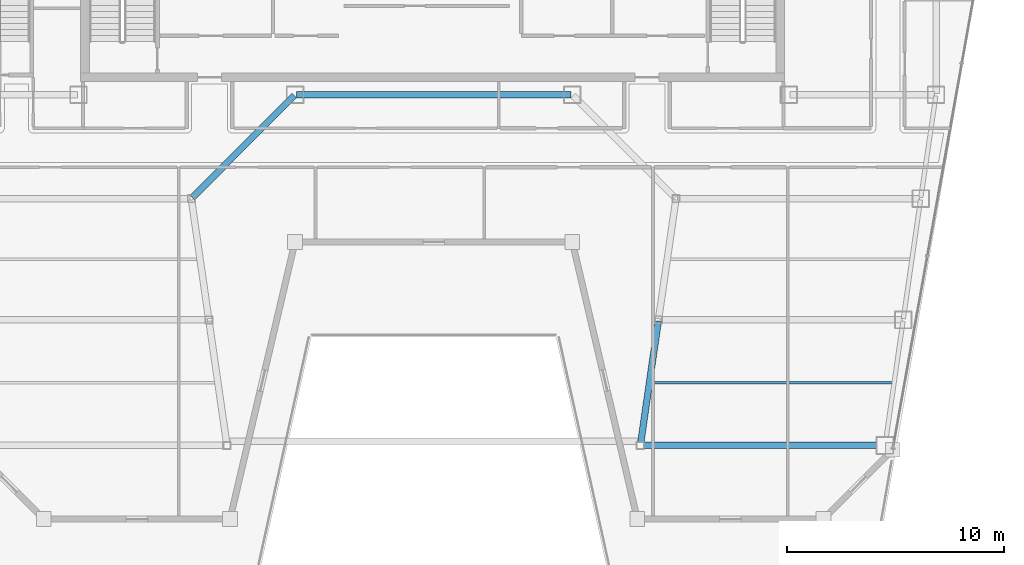
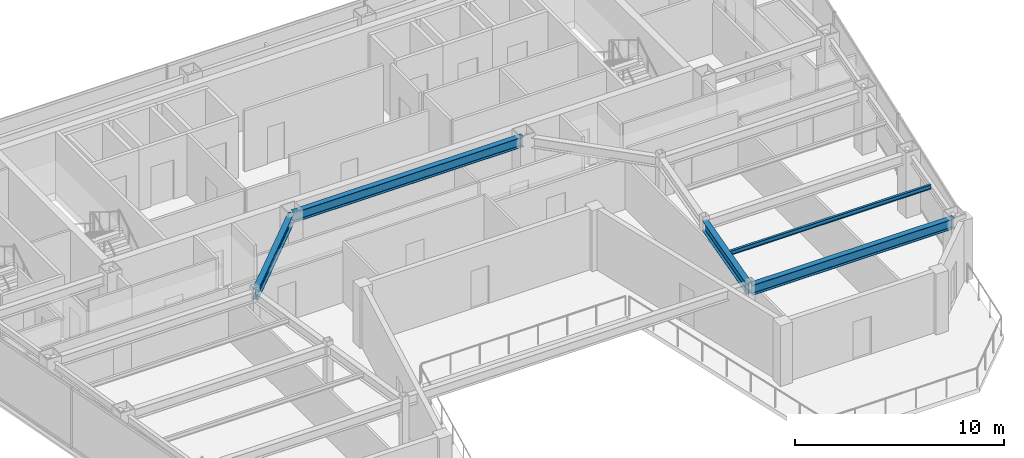
# One storey, part 8 of 28: 5 beams.
"""IFC4 building model written with IfcOpenShell, lengths in metres."""

from ifc_helpers import new_model, si_unit, direction, frame, origin, origin_2d, place, context, subcontext, project, spatial, i_section, extrude, material, material_profile, profile_set, type_object, element, save


model = new_model("IFC4")

# Units and contexts
model_context = context("Model", 3, precision=1e-05, world=origin(), true_north=direction((0.0, 1.0)))
body_context = subcontext(model_context, "Body", "Model", "MODEL_VIEW")
ifc_project = project(units=[si_unit("LENGTHUNIT", "METRE"), si_unit("AREAUNIT", "SQUARE_METRE"), si_unit("VOLUMEUNIT", "CUBIC_METRE"), si_unit("PLANEANGLEUNIT", "RADIAN"), si_unit("MASSUNIT", "GRAM", prefix="KILO")], contexts=[model_context])

# Site, building, storey
site_placement = place(None, origin())
site = spatial("IfcSite", under=ifc_project, at=site_placement, CompositionType="ELEMENT")
building_placement = place(site_placement, origin())
building = spatial("IfcBuilding", under=site, at=building_placement, Name="Saevonmaru Cultural Tower", CompositionType="ELEMENT")
storey_placement = place(building_placement, frame((0.0, 0.0, 253.39990234375)))
storey = spatial("IfcBuildingStorey", under=building, at=storey_placement, Name="L59", CompositionType="ELEMENT", Elevation=253.39990234375)

# Beams
ifc_material = material(Name="Steel SM355", Category="steel")
ifc_material_profile_1 = material_profile(ifc_material, i_section(OverallWidth=0.300048828125, OverallDepth=0.587890625, WebThickness=0.011962890625, FlangeThickness=0.02001953125, FilletRadius=0.02392578125, at=origin_2d()), Name="H-588x300x12x20")
ifc_profile_set_1 = profile_set([ifc_material_profile_1], Name="Steel SM355")
beam_type_1 = type_object("IfcBeamType", Name="BM-G-H588", PredefinedType="BEAM", material=ifc_profile_set_1)
beam_1_placement = place(storey_placement, frame((23.659912109375, 42.39990234375, 3.256103515625), z_axis=(1.0, 0.0, 0.0), x_axis=(0.0, 1.0, 0.0)))
element("IfcBeam", 1, at=beam_1_placement, inside=storey, type_object=beam_type_1, Name="L59 Core South Girder 3", PredefinedType="BEAM", context=body_context, shape_type="SweptSolid", body=[
    extrude(i_section(OverallWidth=0.300048828125, OverallDepth=0.587890625, WebThickness=0.011962890625, FlangeThickness=0.02001953125, FilletRadius=0.02392578125, at=origin_2d()), origin(), (0.0, 0.0, 1.0), 12.68017578125),
])
beam_2_placement = place(storey_placement, frame((18.850341796875, 37.642578125, 3.256103515625), z_axis=(0.706538566564, 0.707674539572, 0.0), x_axis=(-0.707674539572, 0.706538566564, 0.0)))
element("IfcBeam", 2, at=beam_2_placement, inside=storey, type_object=beam_type_1, Name="L59 West Atrium Girder 3", PredefinedType="BEAM", context=body_context, shape_type="SweptSolid", body=[
    extrude(i_section(OverallWidth=0.300048828125, OverallDepth=0.587890625, WebThickness=0.011962890625, FlangeThickness=0.02001953125, FilletRadius=0.02392578125, at=origin_2d()), origin(), (0.0, 0.0, 1.0), 6.662353515625),
])
beam_3_placement = place(storey_placement, frame((39.5546875, 26.259521484375, 3.256103515625), z_axis=(0.142826510921, 0.989747739466, 0.0), x_axis=(-0.989747739466, 0.142826510921, 0.0)))
element("IfcBeam", 3, at=beam_3_placement, inside=storey, type_object=beam_type_1, Name="L59 East Atrium Girder 1", PredefinedType="BEAM", context=body_context, shape_type="SweptSolid", body=[
    extrude(i_section(OverallWidth=0.300048828125, OverallDepth=0.587890625, WebThickness=0.011962890625, FlangeThickness=0.02001953125, FilletRadius=0.02392578125, at=origin_2d()), origin(), (0.0, 0.0, 1.0), 5.739990234375),
])
beam_4_placement = place(storey_placement, frame((39.60595703125, 26.199951171875, 3.256103515625), z_axis=(1.0, 0.0, 0.0), x_axis=(0.0, 1.0, 0.0)))
element("IfcBeam", 4, at=beam_4_placement, inside=storey, type_object=beam_type_1, Name="L59 East Wing Transverse Girder 1", PredefinedType="BEAM", context=body_context, shape_type="SweptSolid", body=[
    extrude(i_section(OverallWidth=0.300048828125, OverallDepth=0.587890625, WebThickness=0.011962890625, FlangeThickness=0.02001953125, FilletRadius=0.02392578125, at=origin_2d()), origin(), (0.0, 0.0, 1.0), 11.179931640625),
])
ifc_material_profile_2 = material_profile(ifc_material, i_section(OverallWidth=0.125, OverallDepth=0.25, WebThickness=0.006103515625, FlangeThickness=0.009033203125, FilletRadius=0.008056640625, at=origin_2d()), Name="H-250x125x6x9")
ifc_profile_set_2 = profile_set([ifc_material_profile_2], Name="Steel SM355")
beam_type_2 = type_object("IfcBeamType", Name="BM-J-H250", PredefinedType="JOIST", material=ifc_profile_set_2)
beam_5_placement = place(storey_placement, frame((40.12255859375, 29.10009765625, 3.425048828125), z_axis=(1.0, 0.0, 0.0), x_axis=(0.0, 1.0, 0.0)))
element("IfcBeam", 5, at=beam_5_placement, inside=storey, type_object=beam_type_2, Name="L59 East Wing Floor Joist 1", PredefinedType="JOIST", context=body_context, shape_type="SweptSolid", body=[
    extrude(i_section(OverallWidth=0.125, OverallDepth=0.25, WebThickness=0.006103515625, FlangeThickness=0.009033203125, FilletRadius=0.008056640625, at=origin_2d()), origin(), (0.0, 0.0, 1.0), 11.08203125),
])

save(model, "model.ifc")
